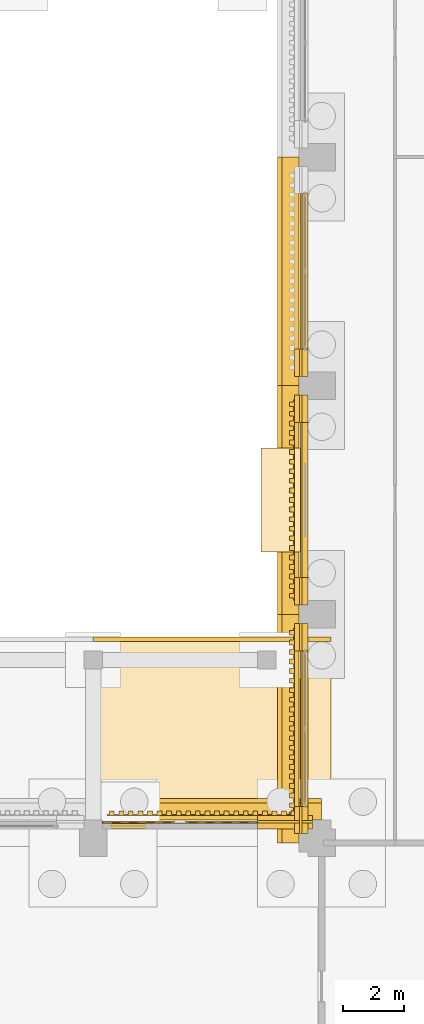
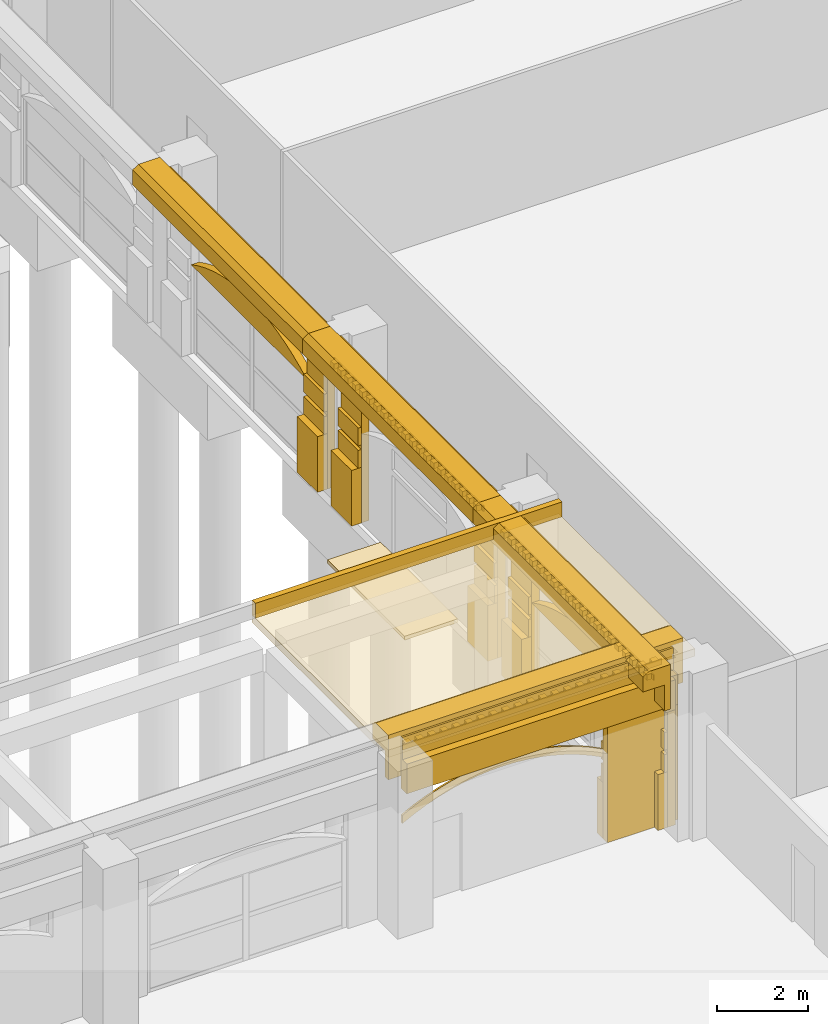
# One storey, part 86 of 99: 41 coverings, 1 element without a shape of its own.
"""IFC4 building model written with IfcOpenShell, lengths in metres."""

from ifc_helpers import new_model, si_unit, direction, frame, origin, place, context, subcontext, project, spatial, polyline, outline, extrude, material, layer, layer_set, type_object, element, aggregate, save


model = new_model("IFC4")

# Units and contexts
model_context = context("Model", 3, precision=1e-05, world=origin(), true_north=direction((0.0, 1.0)))
body_context = subcontext(model_context, "Body", "Model", "MODEL_VIEW")
ifc_project = project(units=[si_unit("LENGTHUNIT", "METRE"), si_unit("AREAUNIT", "SQUARE_METRE"), si_unit("VOLUMEUNIT", "CUBIC_METRE"), si_unit("PLANEANGLEUNIT", "RADIAN"), si_unit("MASSUNIT", "GRAM", prefix="KILO")], contexts=[model_context])

# Site, building, storey
site_placement = place(None, origin())
site = spatial("IfcSite", under=ifc_project, at=site_placement, CompositionType="ELEMENT")
building_placement = place(site_placement, origin())
building = spatial("IfcBuilding", under=site, at=building_placement, Name="Cour d'Honneur Mobility Palace", CompositionType="ELEMENT")
storey_placement = place(building_placement, origin())
storey = spatial("IfcBuildingStorey", under=building, at=storey_placement, Name="L00", CompositionType="ELEMENT", Elevation=0.0)

# Roof, coverings
ifc_material_1 = material(Name="Concrete C50", Category="concrete")
ifc_layer_1 = layer(ifc_material_1, 0.199951171875)
ifc_layer_set_1 = layer_set([ifc_layer_1], Name="Concrete C50")
roof_type = type_object("IfcRoofType", Name="Arcade canopy", PredefinedType="FLAT_ROOF", material=ifc_layer_set_1)
roof_placement = place(storey_placement, origin())
roof = element("IfcRoof", 1, at=roof_placement, inside=storey, type_object=roof_type, Name="Arcade canopy E", PredefinedType="FLAT_ROOF")
ifc_material_2 = material(Name="Concrete C50", Category="concrete")
ifc_layer_2 = layer(ifc_material_2, 0.199951171875)
ifc_layer_set_2 = layer_set([ifc_layer_2], Name="Concrete C50")
covering_type_1 = type_object("IfcCoveringType", Name="Arcade canopy slab 200", PredefinedType="ROOFING", material=ifc_layer_set_2)
covering_1_placement = place(storey_placement, frame((0.0, 0.0, 4.0)))
covering_1 = element("IfcCovering", 2, at=covering_1_placement, type_object=covering_type_1, Name="Arcade canopy slab AS-E6", PredefinedType="ROOFING", context=body_context, shape_type="SweptSolid", body=[
    extrude(outline(polyline([(137.39990234375, 63.14990234375), (145.199951171875, 63.14990234375), (145.199951171875, 69.14990234375), (137.39990234375, 69.14990234375), (137.39990234375, 63.14990234375)])), origin(), (0.0, 0.0, 1.0), 0.199951171875),
])
ifc_material_3 = material(Name="Concrete C50", Category="concrete")
ifc_layer_3 = layer(ifc_material_3, 0.14990234375)
ifc_layer_set_3 = layer_set([ifc_layer_3], Name="Concrete C50")
covering_type_2 = type_object("IfcCoveringType", Name="Arcade parapet 400", PredefinedType="CLADDING", material=ifc_layer_set_3)
covering_2_placement = place(storey_placement, frame((0.0, 0.0, 4.199951171875)))
covering_2 = element("IfcCovering", 3, at=covering_2_placement, type_object=covering_type_2, Name="Arcade parapet AP-E6", PredefinedType="CLADDING", context=body_context, shape_type="SweptSolid", body=[
    extrude(outline(polyline([(137.39990234375, 69.0), (145.199951171875, 69.0), (145.199951171875, 69.14990234375), (137.39990234375, 69.14990234375), (137.39990234375, 69.0)])), origin(), (0.0, 0.0, 1.0), 0.400146484375),
])
aggregate(roof, [covering_1, covering_2])

# Coverings
ifc_material_4 = material(Name="Cast limestone", Category="masonry")
ifc_layer_4 = layer(ifc_material_4, 0.050048828125)
ifc_layer_set_4 = layer_set([ifc_layer_4], Name="Cast limestone")
covering_type_3 = type_object("IfcCoveringType", Name="Arch hood", PredefinedType="CLADDING", material=ifc_layer_set_4)
covering_3_placement = place(storey_placement, frame((142.800048828125, 63.10009765625, 2.179931640625), z_axis=(0.0, 1.0, 0.0), x_axis=(-0.893604607308, 0.0, 0.448854994176)))
element("IfcCovering", 4, at=covering_3_placement, inside=storey, type_object=covering_type_3, Name="Arch hood AH-44", PredefinedType="CLADDING", context=body_context, shape_type="SweptSolid", body=[
    extrude(outline(polyline([(0.0, 0.0), (0.35681066731556765, 2.7755575615628914e-17), (0.7020064606072944, -0.022579595743628944), (1.0367907964215308, -0.06643079839719385), (1.3617125957426337, -0.129916867910564), (1.677101612077335, -0.2118373946082709), (1.9837229270167351, -0.31175705040594615), (2.2813593776637964, -0.4290203374513023), (2.570556878131994, -0.5636282580346337), (2.8512068469728096, -0.7152530632297959), (3.1229815352600987, -0.884003334485308), (3.3862076896297117, -1.070316404466126), (3.640229812229361, -1.2744094360692875), (3.885155482217271, -1.4971560923344107), (4.120218615712047, -1.7395376154593394), (4.344433961354672, -2.0029715780165787), (4.557470763348117, -2.2892043037950724), (4.656205712018263, -2.0926374700096892), (4.44327849376363, -1.8061865790438643), (4.218953564382193, -1.5429707816739562), (3.9838904308874175, -1.3005892585490275), (3.73907434463832, -1.0776244370965733), (3.484942638299858, -0.873749570680743), (3.221716483930245, -0.6874365006999249), (2.949941795642956, -0.5186862294444128), (2.6692918268021404, -0.3670614242492506), (2.3800943263339427, -0.23245350366591921), (2.0824578756868815, -0.11519021662056306), (1.7758365607474815, -0.015270560822887802), (1.460557128151593, 0.06686813106215028), (1.1355257450916771, 0.1301360353881893), (0.8007414092774409, 0.17398723804175414), (0.4556551997245267, 0.1967849989727143), (0.09873494867014648, 0.19656683378538312), (0.0, 0.0)])), origin(), (0.0, 0.0, -1.0), 0.050048828125),
])
ifc_material_5 = material(Name="Cast limestone", Category="masonry")
ifc_layer_5 = layer(ifc_material_5, 0.199951171875)
ifc_layer_set_5 = layer_set([ifc_layer_5], Name="Cast limestone")
covering_type_4 = type_object("IfcCoveringType", Name="Arch tympanum panel", PredefinedType="CLADDING", material=ifc_layer_set_5)
for number, where, z_axis, x_axis, name in (
    (5, (144.25, 83.699951171875, 2.39990234375), (-1.0, 0.0, 0.0), (0.0, -1.0, 0.0), "Arch tympanum panel TP-5"),
    (6, (144.25, 68.699951171875, 2.39990234375), (-1.0, 0.0, 0.0), (0.0, -1.0, 0.0), "Arch tympanum panel TP-6"),
):
    element("IfcCovering", number, at=place(storey_placement, frame(where, z_axis=z_axis, x_axis=x_axis)), inside=storey, type_object=covering_type_4, Name=name, PredefinedType="CLADDING", context=body_context, shape_type="SweptSolid", body=[
        extrude(outline(polyline([(0.0, 0.0), (5.099853515625, 0.0), (5.099853515625, 0.0), (4.78125, 0.160400390625), (4.46240234375, 0.294921875), (4.143798828125, 0.406005859375), (3.824951171875, 0.495361328125), (3.506103515625, 0.5634765625), (3.1875, 0.61181640625), (2.86865234375, 0.640625), (2.550048828125, 0.650146484375), (2.231201171875, 0.640625), (1.912353515625, 0.61181640625), (1.59375, 0.5634765625), (1.27490234375, 0.495361328125), (0.956298828125, 0.406005859375), (0.637451171875, 0.294921875), (0.318603515625, 0.160400390625), (0.0, 0.0), (0.0, 0.0)])), origin(), (0.0, 0.0, -1.0), 0.199951171875),
    ])
ifc_material_6 = material(Name="Cast limestone", Category="masonry")
ifc_layer_6 = layer(ifc_material_6, 0.14990234375)
ifc_layer_set_6 = layer_set([ifc_layer_6], Name="Cast limestone")
covering_type_5 = type_object("IfcCoveringType", Name="Dentil course", PredefinedType="CLADDING", material=ifc_layer_set_6)
covering_4_placement = place(storey_placement, frame((0.0, 0.0, 3.949951171875)))
element("IfcCovering", 7, at=covering_4_placement, inside=storey, type_object=covering_type_5, Name="Dentil course DC-36", PredefinedType="CLADDING", context=body_context, shape_type="SweptSolid", body=[
    extrude(outline(polyline([(144.0, 76.949951171875), (144.0, 70.35009765625), (143.969970703125, 70.35009765625), (143.969970703125, 70.35009765625), (143.969970703125, 70.428466796875), (143.85009765625, 70.428466796875), (143.85009765625, 70.585693359375), (143.969970703125, 70.585693359375), (143.969970703125, 70.664306640625), (143.969970703125, 70.664306640625), (143.969970703125, 70.742919921875), (143.85009765625, 70.742919921875), (143.85009765625, 70.89990234375), (143.969970703125, 70.89990234375), (143.969970703125, 70.978515625), (143.969970703125, 70.978515625), (143.969970703125, 71.05712890625), (143.85009765625, 71.05712890625), (143.85009765625, 71.21435546875), (143.969970703125, 71.21435546875), (143.969970703125, 71.29296875), (143.969970703125, 71.29296875), (143.969970703125, 71.371337890625), (143.85009765625, 71.371337890625), (143.85009765625, 71.528564453125), (143.969970703125, 71.528564453125), (143.969970703125, 71.607177734375), (143.969970703125, 71.607177734375), (143.969970703125, 71.685791015625), (143.85009765625, 71.685791015625), (143.85009765625, 71.8427734375), (143.969970703125, 71.8427734375), (143.969970703125, 71.92138671875), (143.969970703125, 71.92138671875), (143.969970703125, 72.0), (143.85009765625, 72.0), (143.85009765625, 72.1572265625), (143.969970703125, 72.1572265625), (143.969970703125, 72.235595703125), (143.969970703125, 72.235595703125), (143.969970703125, 72.314208984375), (143.85009765625, 72.314208984375), (143.85009765625, 72.471435546875), (143.969970703125, 72.471435546875), (143.969970703125, 72.550048828125), (143.969970703125, 72.550048828125), (143.969970703125, 72.628662109375), (143.85009765625, 72.628662109375), (143.85009765625, 72.78564453125), (143.969970703125, 72.78564453125), (143.969970703125, 72.8642578125), (143.969970703125, 72.8642578125), (143.969970703125, 72.94287109375), (143.85009765625, 72.94287109375), (143.85009765625, 73.10009765625), (143.969970703125, 73.10009765625), (143.969970703125, 73.178466796875), (143.969970703125, 73.178466796875), (143.969970703125, 73.257080078125), (143.85009765625, 73.257080078125), (143.85009765625, 73.414306640625), (143.969970703125, 73.414306640625), (143.969970703125, 73.492919921875), (143.969970703125, 73.492919921875), (143.969970703125, 73.571533203125), (143.85009765625, 73.571533203125), (143.85009765625, 73.728515625), (143.969970703125, 73.728515625), (143.969970703125, 73.80712890625), (143.969970703125, 73.80712890625), (143.969970703125, 73.8857421875), (143.85009765625, 73.8857421875), (143.85009765625, 74.04296875), (143.969970703125, 74.04296875), (143.969970703125, 74.121337890625), (143.969970703125, 74.121337890625), (143.969970703125, 74.199951171875), (143.85009765625, 74.199951171875), (143.85009765625, 74.357177734375), (143.969970703125, 74.357177734375), (143.969970703125, 74.435791015625), (143.969970703125, 74.435791015625), (143.969970703125, 74.514404296875), (143.85009765625, 74.514404296875), (143.85009765625, 74.67138671875), (143.969970703125, 74.67138671875), (143.969970703125, 74.75), (143.969970703125, 74.75), (143.969970703125, 74.82861328125), (143.85009765625, 74.82861328125), (143.85009765625, 74.985595703125), (143.969970703125, 74.985595703125), (143.969970703125, 75.064208984375), (143.969970703125, 75.064208984375), (143.969970703125, 75.142822265625), (143.85009765625, 75.142822265625), (143.85009765625, 75.300048828125), (143.969970703125, 75.300048828125), (143.969970703125, 75.378662109375), (143.969970703125, 75.378662109375), (143.969970703125, 75.45703125), (143.85009765625, 75.45703125), (143.85009765625, 75.6142578125), (143.969970703125, 75.6142578125), (143.969970703125, 75.69287109375), (143.969970703125, 75.69287109375), (143.969970703125, 75.771484375), (143.85009765625, 75.771484375), (143.85009765625, 75.928466796875), (143.969970703125, 75.928466796875), (143.969970703125, 76.007080078125), (143.969970703125, 76.007080078125), (143.969970703125, 76.085693359375), (143.85009765625, 76.085693359375), (143.85009765625, 76.242919921875), (143.969970703125, 76.242919921875), (143.969970703125, 76.321533203125), (143.969970703125, 76.321533203125), (143.969970703125, 76.39990234375), (143.85009765625, 76.39990234375), (143.85009765625, 76.55712890625), (143.969970703125, 76.55712890625), (143.969970703125, 76.6357421875), (143.969970703125, 76.6357421875), (143.969970703125, 76.71435546875), (143.85009765625, 76.71435546875), (143.85009765625, 76.871337890625), (143.969970703125, 76.871337890625), (143.969970703125, 76.949951171875), (144.0, 76.949951171875)])), origin(), (0.0, 0.0, 1.0), 0.150146484375),
])
covering_5_placement = place(storey_placement, frame((0.0, 0.0, 3.949951171875)))
element("IfcCovering", 8, at=covering_5_placement, inside=storey, type_object=covering_type_5, Name="Dentil course DC-37", PredefinedType="CLADDING", context=body_context, shape_type="SweptSolid", body=[
    extrude(outline(polyline([(144.0, 69.449951171875), (144.0, 62.85009765625), (143.969970703125, 62.85009765625), (143.969970703125, 62.85009765625), (143.969970703125, 62.928466796875), (143.85009765625, 62.928466796875), (143.85009765625, 63.085693359375), (143.969970703125, 63.085693359375), (143.969970703125, 63.164306640625), (143.969970703125, 63.164306640625), (143.969970703125, 63.242919921875), (143.85009765625, 63.242919921875), (143.85009765625, 63.39990234375), (143.969970703125, 63.39990234375), (143.969970703125, 63.478515625), (143.969970703125, 63.478515625), (143.969970703125, 63.55712890625), (143.85009765625, 63.55712890625), (143.85009765625, 63.71435546875), (143.969970703125, 63.71435546875), (143.969970703125, 63.79296875), (143.969970703125, 63.79296875), (143.969970703125, 63.871337890625), (143.85009765625, 63.871337890625), (143.85009765625, 64.028564453125), (143.969970703125, 64.028564453125), (143.969970703125, 64.107177734375), (143.969970703125, 64.107177734375), (143.969970703125, 64.185791015625), (143.85009765625, 64.185791015625), (143.85009765625, 64.3427734375), (143.969970703125, 64.3427734375), (143.969970703125, 64.42138671875), (143.969970703125, 64.42138671875), (143.969970703125, 64.5), (143.85009765625, 64.5), (143.85009765625, 64.6572265625), (143.969970703125, 64.6572265625), (143.969970703125, 64.735595703125), (143.969970703125, 64.735595703125), (143.969970703125, 64.814208984375), (143.85009765625, 64.814208984375), (143.85009765625, 64.971435546875), (143.969970703125, 64.971435546875), (143.969970703125, 65.050048828125), (143.969970703125, 65.050048828125), (143.969970703125, 65.128662109375), (143.85009765625, 65.128662109375), (143.85009765625, 65.28564453125), (143.969970703125, 65.28564453125), (143.969970703125, 65.3642578125), (143.969970703125, 65.3642578125), (143.969970703125, 65.44287109375), (143.85009765625, 65.44287109375), (143.85009765625, 65.60009765625), (143.969970703125, 65.60009765625), (143.969970703125, 65.678466796875), (143.969970703125, 65.678466796875), (143.969970703125, 65.757080078125), (143.85009765625, 65.757080078125), (143.85009765625, 65.914306640625), (143.969970703125, 65.914306640625), (143.969970703125, 65.992919921875), (143.969970703125, 65.992919921875), (143.969970703125, 66.071533203125), (143.85009765625, 66.071533203125), (143.85009765625, 66.228515625), (143.969970703125, 66.228515625), (143.969970703125, 66.30712890625), (143.969970703125, 66.30712890625), (143.969970703125, 66.3857421875), (143.85009765625, 66.3857421875), (143.85009765625, 66.54296875), (143.969970703125, 66.54296875), (143.969970703125, 66.621337890625), (143.969970703125, 66.621337890625), (143.969970703125, 66.699951171875), (143.85009765625, 66.699951171875), (143.85009765625, 66.857177734375), (143.969970703125, 66.857177734375), (143.969970703125, 66.935791015625), (143.969970703125, 66.935791015625), (143.969970703125, 67.014404296875), (143.85009765625, 67.014404296875), (143.85009765625, 67.17138671875), (143.969970703125, 67.17138671875), (143.969970703125, 67.25), (143.969970703125, 67.25), (143.969970703125, 67.32861328125), (143.85009765625, 67.32861328125), (143.85009765625, 67.485595703125), (143.969970703125, 67.485595703125), (143.969970703125, 67.564208984375), (143.969970703125, 67.564208984375), (143.969970703125, 67.642822265625), (143.85009765625, 67.642822265625), (143.85009765625, 67.800048828125), (143.969970703125, 67.800048828125), (143.969970703125, 67.878662109375), (143.969970703125, 67.878662109375), (143.969970703125, 67.95703125), (143.85009765625, 67.95703125), (143.85009765625, 68.1142578125), (143.969970703125, 68.1142578125), (143.969970703125, 68.19287109375), (143.969970703125, 68.19287109375), (143.969970703125, 68.271484375), (143.85009765625, 68.271484375), (143.85009765625, 68.428466796875), (143.969970703125, 68.428466796875), (143.969970703125, 68.507080078125), (143.969970703125, 68.507080078125), (143.969970703125, 68.585693359375), (143.85009765625, 68.585693359375), (143.85009765625, 68.742919921875), (143.969970703125, 68.742919921875), (143.969970703125, 68.821533203125), (143.969970703125, 68.821533203125), (143.969970703125, 68.89990234375), (143.85009765625, 68.89990234375), (143.85009765625, 69.05712890625), (143.969970703125, 69.05712890625), (143.969970703125, 69.1357421875), (143.969970703125, 69.1357421875), (143.969970703125, 69.21435546875), (143.85009765625, 69.21435546875), (143.85009765625, 69.371337890625), (143.969970703125, 69.371337890625), (143.969970703125, 69.449951171875), (144.0, 69.449951171875)])), origin(), (0.0, 0.0, 1.0), 0.150146484375),
])
covering_6_placement = place(storey_placement, frame((0.0, 0.0, 3.949951171875)))
element("IfcCovering", 9, at=covering_6_placement, inside=storey, type_object=covering_type_5, Name="Dentil course DC-38", PredefinedType="CLADDING", context=body_context, shape_type="SweptSolid", body=[
    extrude(outline(polyline([(144.449951171875, 63.300048828125), (137.85009765625, 63.300048828125), (137.85009765625, 63.330078125), (137.85009765625, 63.330078125), (137.928466796875, 63.330078125), (137.928466796875, 63.449951171875), (138.085693359375, 63.449951171875), (138.085693359375, 63.330078125), (138.164306640625, 63.330078125), (138.164306640625, 63.330078125), (138.242919921875, 63.330078125), (138.242919921875, 63.449951171875), (138.39990234375, 63.449951171875), (138.39990234375, 63.330078125), (138.478515625, 63.330078125), (138.478515625, 63.330078125), (138.55712890625, 63.330078125), (138.55712890625, 63.449951171875), (138.71435546875, 63.449951171875), (138.71435546875, 63.330078125), (138.79296875, 63.330078125), (138.79296875, 63.330078125), (138.871337890625, 63.330078125), (138.871337890625, 63.449951171875), (139.028564453125, 63.449951171875), (139.028564453125, 63.330078125), (139.107177734375, 63.330078125), (139.107177734375, 63.330078125), (139.185791015625, 63.330078125), (139.185791015625, 63.449951171875), (139.3427734375, 63.449951171875), (139.3427734375, 63.330078125), (139.42138671875, 63.330078125), (139.42138671875, 63.330078125), (139.5, 63.330078125), (139.5, 63.449951171875), (139.6572265625, 63.449951171875), (139.6572265625, 63.330078125), (139.735595703125, 63.330078125), (139.735595703125, 63.330078125), (139.814208984375, 63.330078125), (139.814208984375, 63.449951171875), (139.971435546875, 63.449951171875), (139.971435546875, 63.330078125), (140.050048828125, 63.330078125), (140.050048828125, 63.330078125), (140.128662109375, 63.330078125), (140.128662109375, 63.449951171875), (140.28564453125, 63.449951171875), (140.28564453125, 63.330078125), (140.3642578125, 63.330078125), (140.3642578125, 63.330078125), (140.44287109375, 63.330078125), (140.44287109375, 63.449951171875), (140.60009765625, 63.449951171875), (140.60009765625, 63.330078125), (140.678466796875, 63.330078125), (140.678466796875, 63.330078125), (140.757080078125, 63.330078125), (140.757080078125, 63.449951171875), (140.914306640625, 63.449951171875), (140.914306640625, 63.330078125), (140.992919921875, 63.330078125), (140.992919921875, 63.330078125), (141.071533203125, 63.330078125), (141.071533203125, 63.449951171875), (141.228515625, 63.449951171875), (141.228515625, 63.330078125), (141.30712890625, 63.330078125), (141.30712890625, 63.330078125), (141.3857421875, 63.330078125), (141.3857421875, 63.449951171875), (141.54296875, 63.449951171875), (141.54296875, 63.330078125), (141.621337890625, 63.330078125), (141.621337890625, 63.330078125), (141.699951171875, 63.330078125), (141.699951171875, 63.449951171875), (141.857177734375, 63.449951171875), (141.857177734375, 63.330078125), (141.935791015625, 63.330078125), (141.935791015625, 63.330078125), (142.014404296875, 63.330078125), (142.014404296875, 63.449951171875), (142.17138671875, 63.449951171875), (142.17138671875, 63.330078125), (142.25, 63.330078125), (142.25, 63.330078125), (142.32861328125, 63.330078125), (142.32861328125, 63.449951171875), (142.485595703125, 63.449951171875), (142.485595703125, 63.330078125), (142.564208984375, 63.330078125), (142.564208984375, 63.330078125), (142.642822265625, 63.330078125), (142.642822265625, 63.449951171875), (142.800048828125, 63.449951171875), (142.800048828125, 63.330078125), (142.878662109375, 63.330078125), (142.878662109375, 63.330078125), (142.95703125, 63.330078125), (142.95703125, 63.449951171875), (143.1142578125, 63.449951171875), (143.1142578125, 63.330078125), (143.19287109375, 63.330078125), (143.19287109375, 63.330078125), (143.271484375, 63.330078125), (143.271484375, 63.449951171875), (143.428466796875, 63.449951171875), (143.428466796875, 63.330078125), (143.507080078125, 63.330078125), (143.507080078125, 63.330078125), (143.585693359375, 63.330078125), (143.585693359375, 63.449951171875), (143.742919921875, 63.449951171875), (143.742919921875, 63.330078125), (143.821533203125, 63.330078125), (143.821533203125, 63.330078125), (143.89990234375, 63.330078125), (143.89990234375, 63.449951171875), (144.05712890625, 63.449951171875), (144.05712890625, 63.330078125), (144.1357421875, 63.330078125), (144.1357421875, 63.330078125), (144.21435546875, 63.330078125), (144.21435546875, 63.449951171875), (144.371337890625, 63.449951171875), (144.371337890625, 63.330078125), (144.449951171875, 63.330078125), (144.449951171875, 63.300048828125)])), origin(), (0.0, 0.0, 1.0), 0.150146484375),
])
ifc_material_7 = material(Name="Cast limestone", Category="masonry")
ifc_layer_7 = layer(ifc_material_7, 0.699951171875)
ifc_layer_set_7 = layer_set([ifc_layer_7], Name="Cast limestone")
covering_type_6 = type_object("IfcCoveringType", Name="Entablature", PredefinedType="CLADDING", material=ifc_layer_set_7)
for number, where, z_axis, x_axis, name in (
    (10, (144.14990234375, 84.89990234375, 3.39990234375), (0.0, 1.0, 0.0), (-1.0, 0.0, 0.0), "Entablature EN-35"),
    (11, (144.14990234375, 77.39990234375, 3.39990234375), (0.0, 1.0, 0.0), (-1.0, 0.0, 0.0), "Entablature EN-36"),
    (12, (144.14990234375, 69.89990234375, 3.39990234375), (0.0, 1.0, 0.0), (-1.0, 0.0, 0.0), "Entablature EN-37"),
):
    element("IfcCovering", number, at=place(storey_placement, frame(where, z_axis=z_axis, x_axis=x_axis)), inside=storey, type_object=covering_type_6, Name=name, PredefinedType="CLADDING", context=body_context, shape_type="SweptSolid", body=[
        extrude(outline(polyline([(0.0, 0.0), (0.14990234375, 0.0), (0.14990234375, 0.7001953125), (0.699951171875, 0.7001953125), (0.699951171875, 1.10009765625), (0.5498046875, 1.2001953125), (0.0, 1.2001953125), (0.0, 0.0)])), origin(), (0.0, 0.0, -1.0), 7.5),
    ])
covering_7_placement = place(storey_placement, frame((144.89990234375, 63.14990234375, 3.39990234375), z_axis=(1.0, 0.0, 0.0), x_axis=(0.0, 1.0, 0.0)))
element("IfcCovering", 13, at=covering_7_placement, inside=storey, type_object=covering_type_6, Name="Entablature EN-38", PredefinedType="CLADDING", context=body_context, shape_type="SweptSolid", body=[
    extrude(outline(polyline([(0.0, 0.0), (0.150146484375, 0.0), (0.150146484375, 0.7001953125), (0.7001953125, 0.7001953125), (0.7001953125, 1.10009765625), (0.550048828125, 1.2001953125), (0.0, 1.2001953125), (0.0, 0.0)])), origin(), (0.0, 0.0, -1.0), 7.5),
])
ifc_material_8 = material(Name="Granite paving", Category="masonry")
ifc_layer_8 = layer(ifc_material_8, 0.10009765625)
ifc_layer_set_8 = layer_set([ifc_layer_8], Name="Granite paving")
covering_type_7 = type_object("IfcCoveringType", Name="Entrance paving", PredefinedType="FLOORING", material=ifc_layer_set_8)
covering_8_placement = place(storey_placement, frame((0.0, 0.0, -0.10009765625)))
element("IfcCovering", 14, at=covering_8_placement, inside=storey, type_object=covering_type_7, Name="Entrance paving PV-13", PredefinedType="FLOORING", context=body_context, shape_type="SweptSolid", body=[
    extrude(outline(polyline([(144.25, 75.35009765625), (144.25, 71.949951171875), (142.89990234375, 71.949951171875), (142.89990234375, 75.35009765625), (144.25, 75.35009765625)])), origin(), (0.0, 0.0, 1.0), 0.10009765625),
])
ifc_material_9 = material(Name="Cast limestone", Category="masonry")
ifc_layer_9 = layer(ifc_material_9, 0.25)
ifc_layer_set_9 = layer_set([ifc_layer_9], Name="Cast limestone")
covering_type_8 = type_object("IfcCoveringType", Name="Plinth course", PredefinedType="CLADDING", material=ifc_layer_set_9)
covering_9_placement = place(storey_placement, origin())
element("IfcCovering", 15, at=covering_9_placement, inside=storey, type_object=covering_type_8, Name="Plinth course PI-135", PredefinedType="CLADDING", context=body_context, shape_type="SweptSolid", body=[
    extrude(outline(polyline([(144.25, 78.60009765625), (144.25, 77.699951171875), (144.0, 77.699951171875), (144.0, 78.60009765625), (144.25, 78.60009765625)])), origin(), (0.0, 0.0, 1.0), 1.5),
])
covering_10_placement = place(storey_placement, origin())
element("IfcCovering", 16, at=covering_10_placement, inside=storey, type_object=covering_type_8, Name="Plinth course PI-136", PredefinedType="CLADDING", context=body_context, shape_type="SweptSolid", body=[
    extrude(outline(polyline([(144.25, 77.10009765625), (144.25, 76.199951171875), (144.0, 76.199951171875), (144.0, 77.10009765625), (144.25, 77.10009765625)])), origin(), (0.0, 0.0, 1.0), 1.5),
])
covering_11_placement = place(storey_placement, origin())
element("IfcCovering", 17, at=covering_11_placement, inside=storey, type_object=covering_type_8, Name="Plinth course PI-137", PredefinedType="CLADDING", context=body_context, shape_type="SweptSolid", body=[
    extrude(outline(polyline([(144.25, 71.10009765625), (144.25, 70.199951171875), (144.0, 70.199951171875), (144.0, 71.10009765625), (144.25, 71.10009765625)])), origin(), (0.0, 0.0, 1.0), 1.5),
])
covering_12_placement = place(storey_placement, origin())
element("IfcCovering", 18, at=covering_12_placement, inside=storey, type_object=covering_type_8, Name="Plinth course PI-138", PredefinedType="CLADDING", context=body_context, shape_type="SweptSolid", body=[
    extrude(outline(polyline([(144.25, 69.60009765625), (144.25, 68.699951171875), (144.0, 68.699951171875), (144.0, 69.60009765625), (144.25, 69.60009765625)])), origin(), (0.0, 0.0, 1.0), 1.5),
])
covering_13_placement = place(storey_placement, origin())
element("IfcCovering", 19, at=covering_13_placement, inside=storey, type_object=covering_type_8, Name="Plinth course PI-139", PredefinedType="CLADDING", context=body_context, shape_type="SweptSolid", body=[
    extrude(outline(polyline([(144.25, 63.60009765625), (144.25, 62.699951171875), (144.0, 62.699951171875), (144.0, 63.60009765625), (144.25, 63.60009765625)])), origin(), (0.0, 0.0, 1.0), 1.5),
])
covering_14_placement = place(storey_placement, origin())
element("IfcCovering", 20, at=covering_14_placement, inside=storey, type_object=covering_type_8, Name="Plinth course PI-140", PredefinedType="CLADDING", context=body_context, shape_type="SweptSolid", body=[
    extrude(outline(polyline([(144.60009765625, 63.050048828125), (142.800048828125, 63.050048828125), (142.800048828125, 63.300048828125), (144.60009765625, 63.300048828125), (144.60009765625, 63.050048828125)])), origin(), (0.0, 0.0, 1.0), 1.5),
])
ifc_material_10 = material(Name="Cast limestone", Category="masonry")
ifc_layer_10 = layer(ifc_material_10, 0.199951171875)
ifc_layer_set_10 = layer_set([ifc_layer_10], Name="Cast limestone")
covering_type_9 = type_object("IfcCoveringType", Name="Rusticated jamb panel", PredefinedType="CLADDING", material=ifc_layer_set_10)
for number, where, z_axis, x_axis, name in (
    (21, (144.25, 78.60009765625, 0.0), (-1.0, 0.0, 0.0), (0.0, -1.0, 0.0), "Rusticated jamb panel RP-108"),
    (22, (144.25, 77.10009765625, 0.0), (-1.0, 0.0, 0.0), (0.0, -1.0, 0.0), "Rusticated jamb panel RP-109"),
    (23, (144.25, 71.10009765625, 0.0), (-1.0, 0.0, 0.0), (0.0, -1.0, 0.0), "Rusticated jamb panel RP-110"),
    (24, (144.25, 69.60009765625, 0.0), (-1.0, 0.0, 0.0), (0.0, -1.0, 0.0), "Rusticated jamb panel RP-111"),
    (25, (144.25, 63.60009765625, 0.0), (-1.0, 0.0, 0.0), (0.0, -1.0, 0.0), "Rusticated jamb panel RP-112"),
):
    element("IfcCovering", number, at=place(storey_placement, frame(where, z_axis=z_axis, x_axis=x_axis)), inside=storey, type_object=covering_type_9, Name=name, PredefinedType="CLADDING", context=body_context, shape_type="SweptSolid", body=[
        extrude(outline(polyline([(0.0, 0.0), (0.900146484375, 0.0), (0.900146484375, 3.10009765625), (0.0, 3.10009765625), (0.0, 0.0)])), origin(), (0.0, 0.0, -1.0), 0.199951171875),
    ])
covering_15_placement = place(storey_placement, frame((144.60009765625, 63.050048828125, 0.0), z_axis=(0.0, 1.0, 0.0), x_axis=(-1.0, 0.0, 0.0)))
element("IfcCovering", 26, at=covering_15_placement, inside=storey, type_object=covering_type_9, Name="Rusticated jamb panel RP-113", PredefinedType="CLADDING", context=body_context, shape_type="SweptSolid", body=[
    extrude(outline(polyline([(0.0, 0.0), (1.800048828125, 0.0), (1.800048828125, 3.10009765625), (0.0, 3.10009765625), (0.0, 0.0)])), origin(), (0.0, 0.0, -1.0), 0.199951171875),
])
ifc_material_11 = material(Name="Cast limestone", Category="masonry")
ifc_layer_11 = layer(ifc_material_11, 0.080078125)
ifc_layer_set_11 = layer_set([ifc_layer_11], Name="Cast limestone")
covering_type_10 = type_object("IfcCoveringType", Name="Rustication course", PredefinedType="CLADDING", material=ifc_layer_set_11)
for number, where, name in (
    (27, (0.0, 0.0, 1.5), "Rustication course RC-235"),
    (28, (0.0, 0.0, 2.10009765625), "Rustication course RC-236"),
):
    element("IfcCovering", number, at=place(storey_placement, frame(where)), inside=storey, type_object=covering_type_10, Name=name, PredefinedType="CLADDING", context=body_context, shape_type="SweptSolid", body=[
        extrude(outline(polyline([(144.25, 78.60009765625), (144.25, 77.699951171875), (144.169921875, 77.699951171875), (144.169921875, 78.60009765625), (144.25, 78.60009765625)])), origin(), (0.0, 0.0, 1.0), 0.47998046875),
    ])
for number, where, name in (
    (29, (0.0, 0.0, 1.5), "Rustication course RC-237"),
    (30, (0.0, 0.0, 2.10009765625), "Rustication course RC-238"),
):
    element("IfcCovering", number, at=place(storey_placement, frame(where)), inside=storey, type_object=covering_type_10, Name=name, PredefinedType="CLADDING", context=body_context, shape_type="SweptSolid", body=[
        extrude(outline(polyline([(144.25, 77.10009765625), (144.25, 76.199951171875), (144.169921875, 76.199951171875), (144.169921875, 77.10009765625), (144.25, 77.10009765625)])), origin(), (0.0, 0.0, 1.0), 0.47998046875),
    ])
for number, where, name in (
    (31, (0.0, 0.0, 1.5), "Rustication course RC-239"),
    (32, (0.0, 0.0, 2.10009765625), "Rustication course RC-240"),
):
    element("IfcCovering", number, at=place(storey_placement, frame(where)), inside=storey, type_object=covering_type_10, Name=name, PredefinedType="CLADDING", context=body_context, shape_type="SweptSolid", body=[
        extrude(outline(polyline([(144.25, 71.10009765625), (144.25, 70.199951171875), (144.169921875, 70.199951171875), (144.169921875, 71.10009765625), (144.25, 71.10009765625)])), origin(), (0.0, 0.0, 1.0), 0.47998046875),
    ])
for number, where, name in (
    (33, (0.0, 0.0, 1.5), "Rustication course RC-241"),
    (34, (0.0, 0.0, 2.10009765625), "Rustication course RC-242"),
):
    element("IfcCovering", number, at=place(storey_placement, frame(where)), inside=storey, type_object=covering_type_10, Name=name, PredefinedType="CLADDING", context=body_context, shape_type="SweptSolid", body=[
        extrude(outline(polyline([(144.25, 69.60009765625), (144.25, 68.699951171875), (144.169921875, 68.699951171875), (144.169921875, 69.60009765625), (144.25, 69.60009765625)])), origin(), (0.0, 0.0, 1.0), 0.47998046875),
    ])
for number, where, name in (
    (35, (0.0, 0.0, 1.5), "Rustication course RC-243"),
    (36, (0.0, 0.0, 2.10009765625), "Rustication course RC-244"),
):
    element("IfcCovering", number, at=place(storey_placement, frame(where)), inside=storey, type_object=covering_type_10, Name=name, PredefinedType="CLADDING", context=body_context, shape_type="SweptSolid", body=[
        extrude(outline(polyline([(144.25, 63.60009765625), (144.25, 62.699951171875), (144.169921875, 62.699951171875), (144.169921875, 63.60009765625), (144.25, 63.60009765625)])), origin(), (0.0, 0.0, 1.0), 0.47998046875),
    ])
for number, where, name in (
    (37, (0.0, 0.0, 1.5), "Rustication course RC-245"),
    (38, (0.0, 0.0, 2.10009765625), "Rustication course RC-246"),
):
    element("IfcCovering", number, at=place(storey_placement, frame(where)), inside=storey, type_object=covering_type_10, Name=name, PredefinedType="CLADDING", context=body_context, shape_type="SweptSolid", body=[
        extrude(outline(polyline([(144.60009765625, 63.050048828125), (142.800048828125, 63.050048828125), (142.800048828125, 63.1298828125), (144.60009765625, 63.1298828125), (144.60009765625, 63.050048828125)])), origin(), (0.0, 0.0, 1.0), 0.47998046875),
    ])
ifc_material_12 = material(Name="Cast limestone", Category="masonry")
ifc_layer_12 = layer(ifc_material_12, 0.25)
ifc_layer_set_12 = layer_set([ifc_layer_12], Name="Cast limestone")
covering_type_11 = type_object("IfcCoveringType", Name="Spandrel cladding", PredefinedType="CLADDING", material=ifc_layer_set_12)
for number, where, z_axis, x_axis, name in (
    (39, (144.449951171875, 84.60009765625, 3.10009765625), (0.0, 1.0, 0.0), (-1.0, 0.0, 0.0), "Spandrel cladding SK-35"),
    (40, (144.449951171875, 77.10009765625, 3.10009765625), (0.0, 1.0, 0.0), (-1.0, 0.0, 0.0), "Spandrel cladding SK-36"),
    (41, (144.449951171875, 69.60009765625, 3.10009765625), (0.0, 1.0, 0.0), (-1.0, 0.0, 0.0), "Spandrel cladding SK-37"),
    (42, (144.60009765625, 62.85009765625, 3.10009765625), (1.0, 0.0, 0.0), (0.0, 1.0, 0.0), "Spandrel cladding SK-38"),
):
    element("IfcCovering", number, at=place(storey_placement, frame(where, z_axis=z_axis, x_axis=x_axis)), inside=storey, type_object=covering_type_11, Name=name, PredefinedType="CLADDING", context=body_context, shape_type="SweptSolid", body=[
        extrude(outline(polyline([(0.0, 0.0), (0.25, 0.0), (0.25, 1.39990234375), (0.199951171875, 1.39990234375), (0.199951171875, 0.7998046875), (0.0, 0.7998046875), (0.0, 0.0)])), origin(), (0.0, 0.0, -1.0), 6.89990234375),
    ])

save(model, "model.ifc")
